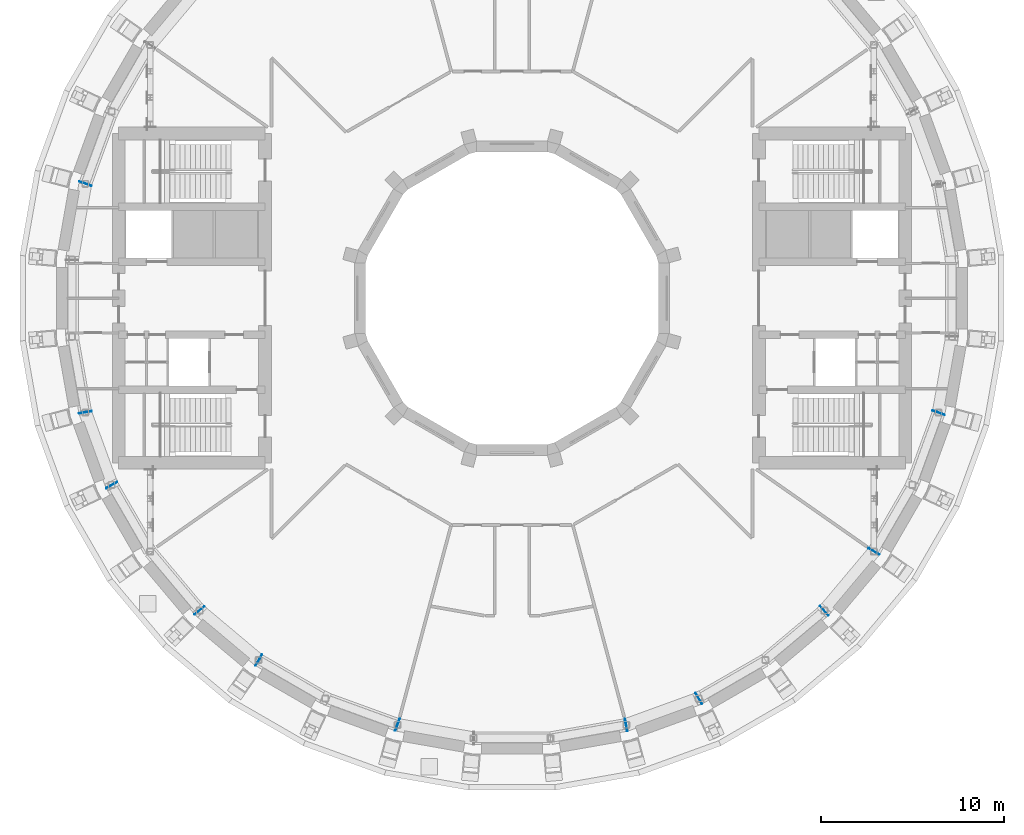
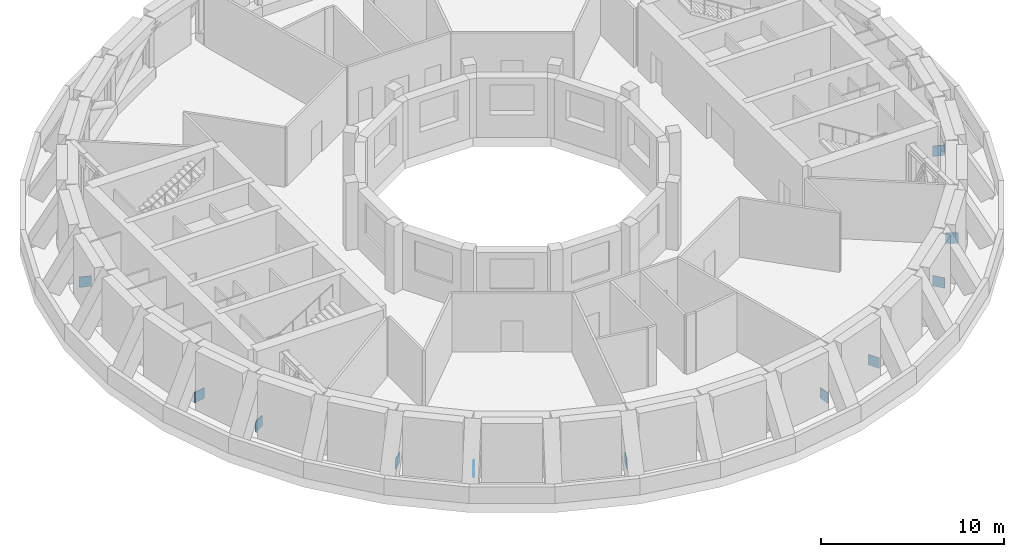
# One storey, part 15 of 20: 11 discrete accessories.
"""IFC4 building model written with IfcOpenShell, lengths in metres."""

from ifc_helpers import new_model, si_unit, direction, frame, origin, origin_2d, place, context, subcontext, project, spatial, rectangle, extrude, material, material_profile, profile_set, type_object, element, save


model = new_model("IFC4")

# Units and contexts
model_context = context("Model", 3, precision=1e-05, world=origin(), true_north=direction((0.0, 1.0)))
body_context = subcontext(model_context, "Body", "Model", "MODEL_VIEW")
ifc_project = project(units=[si_unit("LENGTHUNIT", "METRE"), si_unit("AREAUNIT", "SQUARE_METRE"), si_unit("VOLUMEUNIT", "CUBIC_METRE"), si_unit("PLANEANGLEUNIT", "RADIAN"), si_unit("MASSUNIT", "GRAM", prefix="KILO")], contexts=[model_context])

# Site, building, storey
site_placement = place(None, origin())
site = spatial("IfcSite", under=ifc_project, at=site_placement, CompositionType="ELEMENT")
building_placement = place(site_placement, origin())
building = spatial("IfcBuilding", under=site, at=building_placement, Name="Saqina Gate Tower", CompositionType="ELEMENT")
storey_placement = place(building_placement, frame((0.0, 0.0, 151.300048828125)))
storey = spatial("IfcBuildingStorey", under=building, at=storey_placement, Name="L43", CompositionType="ELEMENT", Elevation=151.300048828125)

# Discrete accessories
ifc_material = material(Name="Steel S460", Category="steel")
ifc_material_profile = material_profile(ifc_material, rectangle(XDim=0.699951171875, YDim=0.699951171875, at=origin_2d()), Name="STR-END PLATE-BOX 700x700x40")
ifc_profile_set = profile_set([ifc_material_profile], Name="Steel S460")
discrete_accessory_type = type_object("IfcDiscreteAccessoryType", Name="STR-END PLATE-BOX 700x700x40", PredefinedType="USERDEFINED", material=ifc_profile_set)
discrete_accessory_1_placement = place(storey_placement, frame((-23.316650390625, 6.279296875, 0.349853515625), z_axis=(-0.341743063087, -0.939793423488, 0.0), x_axis=(0.939793423488, -0.341743063087, 0.0)))
element("IfcDiscreteAccessory", 1, at=discrete_accessory_1_placement, inside=storey, type_object=discrete_accessory_type, Name="END PLATE BELT TRUSS L43 CHORD 036 END", ObjectType="END PLATE", PredefinedType="USERDEFINED", context=body_context, shape_type="SweptSolid", body=[
    extrude(rectangle(XDim=0.699951171875, YDim=0.699951171875, at=origin_2d()), origin(), (0.0, 0.0, 1.0), 0.0400390625),
])
discrete_accessory_2_placement = place(storey_placement, frame((-23.33251953125, -6.22021484375, 0.349853515625), z_axis=(0.176211228072, -0.984352377506, 0.0), x_axis=(0.984352377506, 0.176211228072, 0.0)))
element("IfcDiscreteAccessory", 2, at=discrete_accessory_2_placement, inside=storey, type_object=discrete_accessory_type, Name="END PLATE BELT TRUSS L43 CHORD 043 END", ObjectType="END PLATE", PredefinedType="USERDEFINED", context=body_context, shape_type="SweptSolid", body=[
    extrude(rectangle(XDim=0.699951171875, YDim=0.699951171875, at=origin_2d()), origin(), (0.0, 0.0, 1.0), 0.040283203125),
])
discrete_accessory_3_placement = place(storey_placement, frame((-21.8720703125, -10.232666015625, 0.349853515625), z_axis=(-0.500074377092, 0.865982457891, 0.0), x_axis=(0.865982457891, 0.500074377092, 0.0)))
element("IfcDiscreteAccessory", 3, at=discrete_accessory_3_placement, inside=storey, type_object=discrete_accessory_type, Name="END PLATE BELT TRUSS L43 CHORD 047 START", ObjectType="END PLATE", PredefinedType="USERDEFINED", context=body_context, shape_type="SweptSolid", body=[
    extrude(rectangle(XDim=0.699951171875, YDim=0.699951171875, at=origin_2d()), origin(), (0.0, 0.0, 1.0), 0.0400390625),
])
discrete_accessory_4_placement = place(storey_placement, frame((-17.09619140625, -17.05322265625, 0.349853515625), z_axis=(0.643192086423, -0.76570486479, 0.0), x_axis=(0.76570486479, 0.643192086423, 0.0)))
element("IfcDiscreteAccessory", 4, at=discrete_accessory_4_placement, inside=storey, type_object=discrete_accessory_type, Name="END PLATE BELT TRUSS L43 CHORD 050 END", ObjectType="END PLATE", PredefinedType="USERDEFINED", context=body_context, shape_type="SweptSolid", body=[
    extrude(rectangle(XDim=0.699951171875, YDim=0.699951171875, at=origin_2d()), origin(), (0.0, 0.0, 1.0), 0.039794921875),
])
for number, where, z_axis, x_axis, name in (
    (5, (-13.825439453125, -19.7978515625, 0.349853515625), (-0.865982457891, 0.500074377092, 0.0), (0.500074377092, 0.865982457891, 0.0), "END PLATE BELT TRUSS L43 CHORD 054 START"),
    (6, (-6.279296875, -23.316650390625, 0.349853515625), (0.939793423488, -0.341743063087, 0.0), (0.341743063087, 0.939793423488, 0.0), "END PLATE BELT TRUSS L43 CHORD 057 END"),
):
    element("IfcDiscreteAccessory", number, at=place(storey_placement, frame(where, z_axis=z_axis, x_axis=x_axis)), inside=storey, type_object=discrete_accessory_type, Name=name, ObjectType="END PLATE", PredefinedType="USERDEFINED", context=body_context, shape_type="SweptSolid", body=[
        extrude(rectangle(XDim=0.699951171875, YDim=0.699951171875, at=origin_2d()), origin(), (0.0, 0.0, 1.0), 0.0400390625),
    ])
discrete_accessory_5_placement = place(storey_placement, frame((6.22021484375, -23.33251953125, 0.349853515625), z_axis=(0.984352377506, 0.176211228072, 0.0), x_axis=(-0.176211228072, 0.984352377506, 0.0)))
element("IfcDiscreteAccessory", 7, at=discrete_accessory_5_placement, inside=storey, type_object=discrete_accessory_type, Name="END PLATE BELT TRUSS L43 CHORD 064 END", ObjectType="END PLATE", PredefinedType="USERDEFINED", context=body_context, shape_type="SweptSolid", body=[
    extrude(rectangle(XDim=0.699951171875, YDim=0.699951171875, at=origin_2d()), origin(), (0.0, 0.0, 1.0), 0.040283203125),
])
discrete_accessory_6_placement = place(storey_placement, frame((10.232666015625, -21.8720703125, 0.349853515625), z_axis=(-0.865982457891, -0.500074377092, 0.0), x_axis=(-0.500074377092, 0.865982457891, 0.0)))
element("IfcDiscreteAccessory", 8, at=discrete_accessory_6_placement, inside=storey, type_object=discrete_accessory_type, Name="END PLATE BELT TRUSS L43 CHORD 068 START", ObjectType="END PLATE", PredefinedType="USERDEFINED", context=body_context, shape_type="SweptSolid", body=[
    extrude(rectangle(XDim=0.699951171875, YDim=0.699951171875, at=origin_2d()), origin(), (0.0, 0.0, 1.0), 0.0400390625),
])
discrete_accessory_7_placement = place(storey_placement, frame((17.05322265625, -17.09619140625, 0.349853515625), z_axis=(0.76570486479, 0.643192086423, 0.0), x_axis=(-0.643192086423, 0.76570486479, 0.0)))
element("IfcDiscreteAccessory", 9, at=discrete_accessory_7_placement, inside=storey, type_object=discrete_accessory_type, Name="END PLATE BELT TRUSS L43 CHORD 071 END", ObjectType="END PLATE", PredefinedType="USERDEFINED", context=body_context, shape_type="SweptSolid", body=[
    extrude(rectangle(XDim=0.699951171875, YDim=0.699951171875, at=origin_2d()), origin(), (0.0, 0.0, 1.0), 0.039794921875),
])
for number, where, z_axis, x_axis, name in (
    (10, (19.7978515625, -13.825439453125, 0.349853515625), (-0.500074377092, -0.865982457891, 0.0), (-0.865982457891, 0.500074377092, 0.0), "END PLATE BELT TRUSS L43 CHORD 075 START"),
    (11, (23.316650390625, -6.279296875, 0.349853515625), (0.341743063087, 0.939793423488, 0.0), (-0.939793423488, 0.341743063087, 0.0), "END PLATE BELT TRUSS L43 CHORD 078 END"),
):
    element("IfcDiscreteAccessory", number, at=place(storey_placement, frame(where, z_axis=z_axis, x_axis=x_axis)), inside=storey, type_object=discrete_accessory_type, Name=name, ObjectType="END PLATE", PredefinedType="USERDEFINED", context=body_context, shape_type="SweptSolid", body=[
        extrude(rectangle(XDim=0.699951171875, YDim=0.699951171875, at=origin_2d()), origin(), (0.0, 0.0, 1.0), 0.0400390625),
    ])

save(model, "model.ifc")
